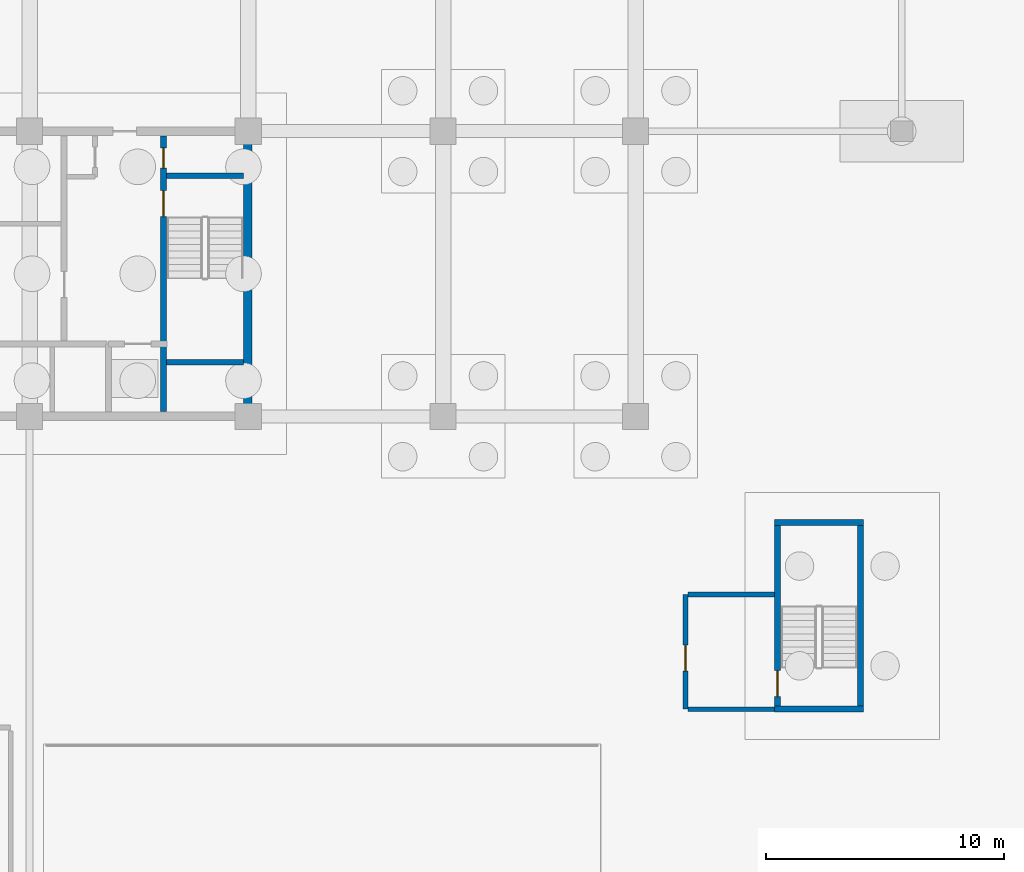
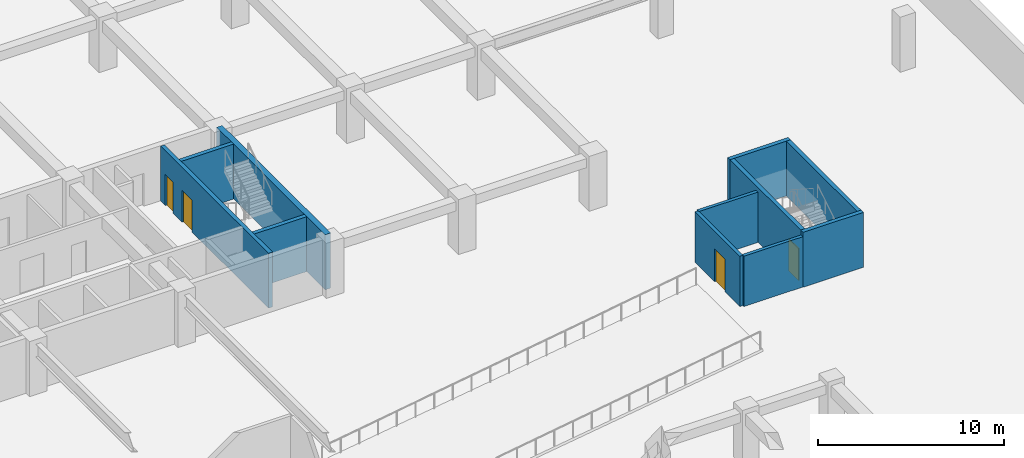
# One storey, part 15 of 26: 11 walls, 4 doors, 4 openings.
"""IFC4 building model written with IfcOpenShell, lengths in metres."""

from ifc_helpers import new_model, si_unit, direction, frame, frame_2d, origin, place, context, subcontext, project, spatial, rectangle, extrude, material, layer, layer_set, type_object, element, fill, save


model = new_model("IFC4")

# Units and contexts
model_context = context("Model", 3, precision=1e-05, world=origin(), true_north=direction((0.0, 1.0)))
body_context = subcontext(model_context, "Body", "Model", "MODEL_VIEW")
ifc_project = project(units=[si_unit("LENGTHUNIT", "METRE"), si_unit("AREAUNIT", "SQUARE_METRE"), si_unit("VOLUMEUNIT", "CUBIC_METRE"), si_unit("PLANEANGLEUNIT", "RADIAN"), si_unit("MASSUNIT", "GRAM", prefix="KILO")], contexts=[model_context])

# Site, building, storey
site_placement = place(None, origin())
site = spatial("IfcSite", under=ifc_project, at=site_placement, CompositionType="ELEMENT")
building_placement = place(site_placement, origin())
building = spatial("IfcBuilding", under=site, at=building_placement, Name="Korimba Cascade Residences", CompositionType="ELEMENT")
storey_placement = place(building_placement, frame((0.0, 0.0, -10.800048828125)))
storey = spatial("IfcBuildingStorey", under=building, at=storey_placement, Name="B03", CompositionType="ELEMENT", Elevation=-10.800048828125)

# Wall
ifc_material_1 = material(Name="Concrete C65/80", Category="concrete")
ifc_layer_1 = layer(ifc_material_1, 0.35009765625)
ifc_layer_set_1 = layer_set([ifc_layer_1], Name="Concrete C65/80")
wall_type_1 = type_object("IfcWallType", Name="WAL-CORE-350", PredefinedType="SHEAR", material=ifc_layer_set_1)
wall_1_placement = place(storey_placement, frame((112.074951171875, 55.375, 0.0), z_axis=(0.0, 0.0, 1.0), x_axis=(0.0, 1.0, 0.0)))
element("IfcWall", 1, at=wall_1_placement, inside=storey, type_object=wall_type_1, Name="B03 Core Shear Wall CW-B03-T1-E", PredefinedType="SHEAR", context=body_context, shape_type="SweptSolid", body=[
    extrude(rectangle(XDim=11.64990234375, YDim=0.35009765625, at=frame_2d((5.824951171875, 0.0))), origin(), (0.0, 0.0, 1.0), 3.60009765625),
])

# Wall, opening, door
ifc_material_2 = material(Name="Concrete C40/50", Category="concrete")
ifc_layer_2 = layer(ifc_material_2, 0.199951171875)
ifc_layer_set_2 = layer_set([ifc_layer_2], Name="Concrete C40/50")
wall_type_2 = type_object("IfcWallType", Name="WAL-PART-200", PredefinedType="PARTITIONING", material=ifc_layer_set_2)
wall_2_placement = place(storey_placement, frame((130.5, 42.875, 0.0), z_axis=(0.0, 0.0, 1.0), x_axis=(0.0, 1.0, 0.0)))
wall_2 = element("IfcWall", 2, at=wall_2_placement, inside=storey, type_object=wall_type_2, Name="B03 Partition Wall CW-B03-PLEW", PredefinedType="PARTITIONING", context=body_context, shape_type="SweptSolid", body=[
    extrude(rectangle(XDim=4.824951171875, YDim=0.199951171875, at=frame_2d((2.41259765625, 0.0))), origin(), (0.0, 0.0, 1.0), 3.300048828125),
])
opening_1_placement = place(wall_2_placement, frame((1.60009765625, 0.0, 0.0)))
opening_1 = element("IfcOpeningElement", 3, at=opening_1_placement, cuts=wall_2, Name="Opening D-FD6", PredefinedType="OPENING", context=body_context, shape_type="SweptSolid", body=[
    extrude(rectangle(XDim=1.10009765625, YDim=2.14990234375, at=frame_2d((0.550048828125, 1.074951171875))), frame((0.0, 0.10986328125, 0.0), z_axis=(0.0, -1.0, 0.0), x_axis=(1.0, 0.0, 0.0)), (0.0, 0.0, 1.0), 0.219970703125),
])
ifc_material_3 = material(Name="Fire-Rated Timber Stair Lobby Door", Category="wood")
door_type_1 = type_object("IfcDoorType", Name="DR-FD90-1100", OperationType="NOTDEFINED", PredefinedType="DOOR", material=ifc_material_3)
door_1_placement = place(opening_1_placement, origin())
door_1 = element("IfcDoor", 4, at=door_1_placement, inside=storey, type_object=door_type_1, Name="B03 East Stair Vestibule Door", OperationType="SINGLE_SWING_RIGHT", OverallHeight=2.14990234375, OverallWidth=1.10009765625, PredefinedType="DOOR", context=body_context, shape_type="SweptSolid", body=[
    extrude(rectangle(XDim=1.10009765625, YDim=2.14990234375, at=frame_2d((0.550048828125, 1.074951171875))), frame((0.0, 0.02490234375, 0.0), z_axis=(0.0, -1.0, 0.0), x_axis=(1.0, 0.0, 0.0)), (0.0, 0.0, 1.0), 0.050048828125),
])
fill(opening_1, door_1)

# Walls
for number, where, z_axis, x_axis, name in (
    (5, (130.60009765625, 42.875, 0.0), (0.0, 0.0, 1.0), (1.0, 0.0, 0.0), "B03 Partition Wall CW-B03-PLES"),
    (6, (130.60009765625, 47.699951171875, 0.0), (0.0, 0.0, 1.0), (1.0, 0.0, 0.0), "B03 Partition Wall CW-B03-PLEN"),
):
    element("IfcWall", number, at=place(storey_placement, frame(where, z_axis=z_axis, x_axis=x_axis)), inside=storey, type_object=wall_type_2, Name=name, PredefinedType="PARTITIONING", context=body_context, shape_type="SweptSolid", body=[
        extrude(rectangle(XDim=3.64990234375, YDim=0.199951171875, at=frame_2d((1.824951171875, 0.0))), origin(), (0.0, 0.0, 1.0), 3.300048828125),
    ])

# Wall, openings, doors
ifc_material_4 = material(Name="Concrete C50/60", Category="concrete")
ifc_layer_3 = layer(ifc_material_4, 0.25)
ifc_layer_set_3 = layer_set([ifc_layer_3], Name="Concrete C50/60")
wall_type_3 = type_object("IfcWallType", Name="WAL-SHAFT-250", PredefinedType="SHEAR", material=ifc_layer_set_3)
wall_3_placement = place(storey_placement, frame((108.534912109375, 55.39990234375, 0.0), z_axis=(0.0, 0.0, 1.0), x_axis=(0.0, 1.0, 0.0)))
wall_3 = element("IfcWall", 7, at=wall_3_placement, inside=storey, type_object=wall_type_3, Name="B03 Core Shear Wall CW-B03-T1-STW2W", PredefinedType="SHEAR", context=body_context, shape_type="SweptSolid", body=[
    extrude(rectangle(XDim=11.60009765625, YDim=0.25, at=frame_2d((5.800048828125, 0.0))), origin(), (0.0, 0.0, 1.0), 3.60009765625),
])
opening_2_placement = place(wall_3_placement, frame((8.199951171875, 0.0, 0.0)))
opening_2 = element("IfcOpeningElement", 8, at=opening_2_placement, cuts=wall_3, Name="Opening D-FD1", PredefinedType="OPENING", context=body_context, shape_type="SweptSolid", body=[
    extrude(rectangle(XDim=1.10009765625, YDim=2.10009765625, at=frame_2d((0.550048828125, 1.050048828125))), frame((0.0, 0.135009765625, 0.0), z_axis=(0.0, -1.0, 0.0), x_axis=(1.0, 0.0, 0.0)), (0.0, 0.0, 1.0), 0.27001953125),
])
opening_3_placement = place(wall_3_placement, frame((10.25, 0.0, 0.0)))
opening_3 = element("IfcOpeningElement", 9, at=opening_3_placement, cuts=wall_3, Name="Opening D-RS1", PredefinedType="OPENING", context=body_context, shape_type="SweptSolid", body=[
    extrude(rectangle(XDim=0.85009765625, YDim=2.050048828125, at=frame_2d((0.425048828125, 1.02490234375))), frame((0.0, 0.135009765625, 0.0), z_axis=(0.0, -1.0, 0.0), x_axis=(1.0, 0.0, 0.0)), (0.0, 0.0, 1.0), 0.27001953125),
])
ifc_material_5 = material(Name="Fire-Rated Steel Core Door", Category="steel")
door_type_2 = type_object("IfcDoorType", Name="DR-FD120-1100", OperationType="NOTDEFINED", PredefinedType="DOOR", material=ifc_material_5)
door_2_placement = place(opening_2_placement, origin())
door_2 = element("IfcDoor", 10, at=door_2_placement, inside=storey, type_object=door_type_2, Name="B03 Fire Stair ST-W2 Door", OperationType="SINGLE_SWING_RIGHT", OverallHeight=2.10009765625, OverallWidth=1.10009765625, PredefinedType="DOOR", context=body_context, shape_type="SweptSolid", body=[
    extrude(rectangle(XDim=1.10009765625, YDim=2.10009765625, at=frame_2d((0.550048828125, 1.050048828125))), frame((0.0, 0.02490234375, 0.0), z_axis=(0.0, -1.0, 0.0), x_axis=(1.0, 0.0, 0.0)), (0.0, 0.0, 1.0), 0.050048828125),
])
fill(opening_2, door_2)
ifc_material_6 = material(Name="Fire-Rated Steel Riser Access Door", Category="steel")
door_type_3 = type_object("IfcDoorType", Name="DR-FD60-850", OperationType="NOTDEFINED", PredefinedType="DOOR", material=ifc_material_6)
door_3_placement = place(opening_3_placement, origin())
door_3 = element("IfcDoor", 11, at=door_3_placement, inside=storey, type_object=door_type_3, Name="B03 East Riser Door", OperationType="SINGLE_SWING_LEFT", OverallHeight=2.050048828125, OverallWidth=0.85009765625, PredefinedType="DOOR", context=body_context, shape_type="SweptSolid", body=[
    extrude(rectangle(XDim=0.85009765625, YDim=2.050048828125, at=frame_2d((0.425048828125, 1.02490234375))), frame((0.0, 0.02490234375, 0.0), z_axis=(0.0, -1.0, 0.0), x_axis=(1.0, 0.0, 0.0)), (0.0, 0.0, 1.0), 0.050048828125),
])
fill(opening_3, door_3)

# Walls
for number, where, z_axis, x_axis, name in (
    (12, (108.659912109375, 57.47509765625, 0.0), (0.0, 0.0, 1.0), (1.0, 0.0, 0.0), "B03 Core Shear Wall CW-B03-T1-STW2S"),
    (13, (108.659912109375, 65.324951171875, 0.0), (0.0, 0.0, 1.0), (1.0, 0.0, 0.0), "B03 Core Shear Wall CW-B03-T1-STW2N"),
):
    element("IfcWall", number, at=place(storey_placement, frame(where, z_axis=z_axis, x_axis=x_axis)), inside=storey, type_object=wall_type_3, Name=name, PredefinedType="SHEAR", context=body_context, shape_type="SweptSolid", body=[
        extrude(rectangle(XDim=3.239990234375, YDim=0.25, at=frame_2d((1.6201171875, 0.0))), origin(), (0.0, 0.0, 1.0), 3.60009765625),
    ])

# Wall, opening, door
wall_4_placement = place(storey_placement, frame((134.375, 43.0, 0.0), z_axis=(0.0, 0.0, 1.0), x_axis=(0.0, 1.0, 0.0)))
wall_4 = element("IfcWall", 14, at=wall_4_placement, inside=storey, type_object=wall_type_3, Name="B03 Core Shear Wall CW-B03-STP2W", PredefinedType="SHEAR", context=body_context, shape_type="SweptSolid", body=[
    extrude(rectangle(XDim=7.60009765625, YDim=0.25, at=frame_2d((3.800048828125, 0.0))), origin(), (0.0, 0.0, 1.0), 3.60009765625),
])
opening_4_placement = place(wall_4_placement, frame((0.39990234375, 0.0, 0.0)))
opening_4 = element("IfcOpeningElement", 15, at=opening_4_placement, cuts=wall_4, Name="Opening D-FD1", PredefinedType="OPENING", context=body_context, shape_type="SweptSolid", body=[
    extrude(rectangle(XDim=1.10009765625, YDim=2.10009765625, at=frame_2d((0.550048828125, 1.050048828125))), frame((0.0, 0.135009765625, 0.0), z_axis=(0.0, -1.0, 0.0), x_axis=(1.0, 0.0, 0.0)), (0.0, 0.0, 1.0), 0.27001953125),
])
door_4_placement = place(opening_4_placement, origin())
door_4 = element("IfcDoor", 16, at=door_4_placement, inside=storey, type_object=door_type_2, Name="B03 Podium Stair ST-P2 Door", OperationType="SINGLE_SWING_LEFT", OverallHeight=2.10009765625, OverallWidth=1.10009765625, PredefinedType="DOOR", context=body_context, shape_type="SweptSolid", body=[
    extrude(rectangle(XDim=1.10009765625, YDim=2.10009765625, at=frame_2d((0.550048828125, 1.050048828125))), frame((0.0, 0.02490234375, 0.0), z_axis=(0.0, -1.0, 0.0), x_axis=(1.0, 0.0, 0.0)), (0.0, 0.0, 1.0), 0.050048828125),
])
fill(opening_4, door_4)

# Walls
wall_5_placement = place(storey_placement, frame((137.864990234375, 43.0, 0.0), z_axis=(0.0, 0.0, 1.0), x_axis=(0.0, 1.0, 0.0)))
element("IfcWall", 17, at=wall_5_placement, inside=storey, type_object=wall_type_3, Name="B03 Core Shear Wall CW-B03-STP2E", PredefinedType="SHEAR", context=body_context, shape_type="SweptSolid", body=[
    extrude(rectangle(XDim=7.60009765625, YDim=0.25, at=frame_2d((3.800048828125, 0.0))), origin(), (0.0, 0.0, 1.0), 3.60009765625),
])
for number, where, z_axis, x_axis, name in (
    (18, (134.25, 42.875, 0.0), (0.0, 0.0, 1.0), (1.0, 0.0, 0.0), "B03 Core Shear Wall CW-B03-STP2S"),
    (19, (134.25, 50.72509765625, 0.0), (0.0, 0.0, 1.0), (1.0, 0.0, 0.0), "B03 Core Shear Wall CW-B03-STP2N"),
):
    element("IfcWall", number, at=place(storey_placement, frame(where, z_axis=z_axis, x_axis=x_axis)), inside=storey, type_object=wall_type_3, Name=name, PredefinedType="SHEAR", context=body_context, shape_type="SweptSolid", body=[
        extrude(rectangle(XDim=3.739990234375, YDim=0.25, at=frame_2d((1.8701171875, 0.0))), origin(), (0.0, 0.0, 1.0), 3.60009765625),
    ])

save(model, "model.ifc")
